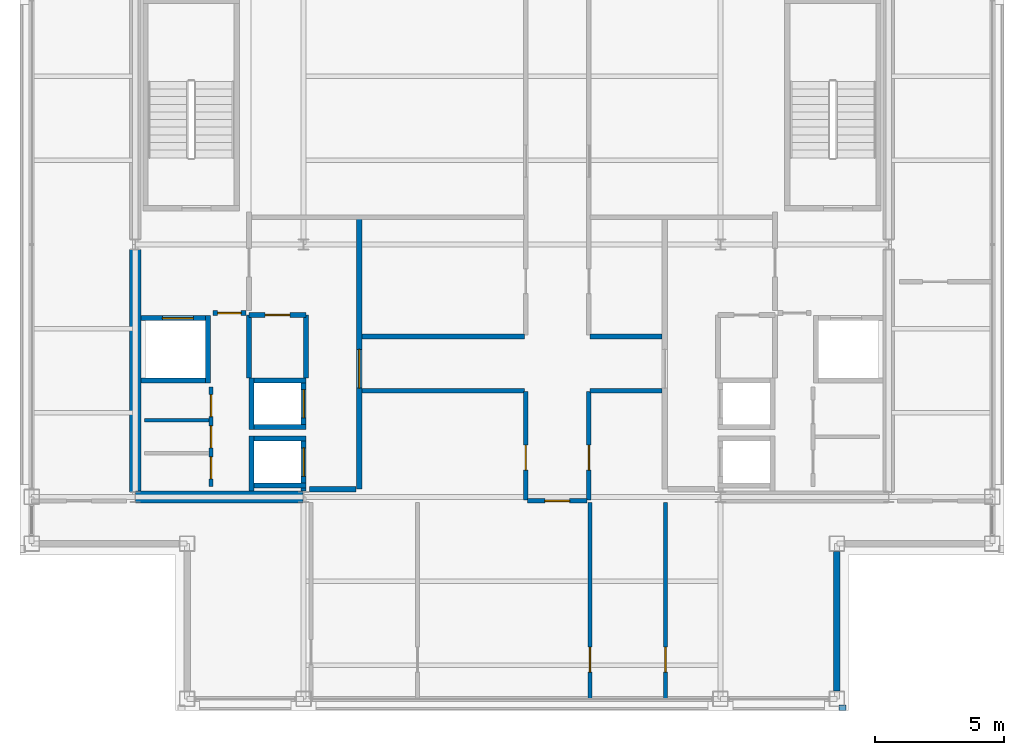
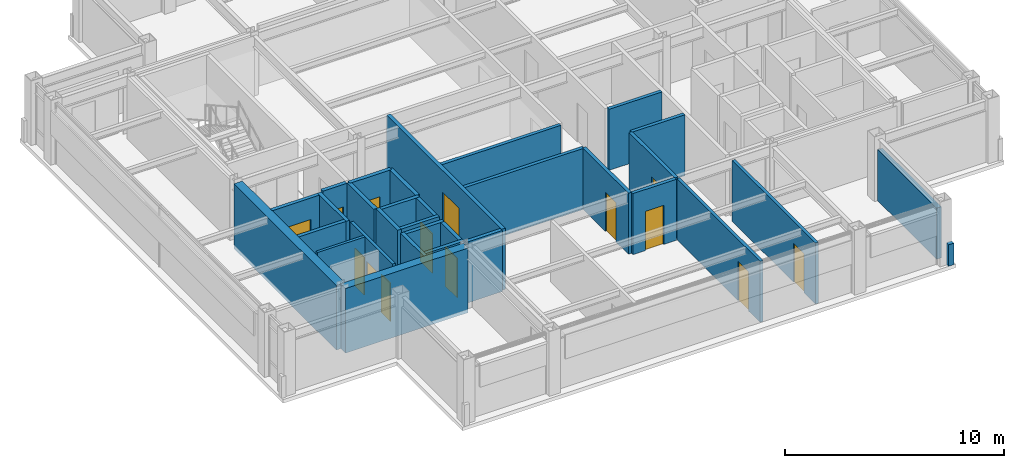
# One storey, part 17 of 20: 32 walls, 14 doors, 14 openings.
"""IFC4 building model written with IfcOpenShell, lengths in metres."""

from ifc_helpers import new_model, si_unit, direction, frame, frame_2d, origin, place, context, subcontext, project, spatial, rectangle, extrude, material, layer, layer_set, type_object, element, fill, save


model = new_model("IFC4")

# Units and contexts
model_context = context("Model", 3, precision=1e-05, world=origin(), true_north=direction((0.0, 1.0)))
body_context = subcontext(model_context, "Body", "Model", "MODEL_VIEW")
ifc_project = project(units=[si_unit("LENGTHUNIT", "METRE"), si_unit("AREAUNIT", "SQUARE_METRE"), si_unit("VOLUMEUNIT", "CUBIC_METRE"), si_unit("PLANEANGLEUNIT", "RADIAN"), si_unit("MASSUNIT", "GRAM", prefix="KILO")], contexts=[model_context])

# Site, building, storey
site_placement = place(None, origin())
site = spatial("IfcSite", under=ifc_project, at=site_placement, CompositionType="ELEMENT")
building_placement = place(site_placement, origin())
building = spatial("IfcBuilding", under=site, at=building_placement, Name="Brelmoor Portico Tower", CompositionType="ELEMENT")
storey_placement = place(building_placement, frame((0.0, 0.0, 272.39990234375)))
storey = spatial("IfcBuildingStorey", under=building, at=storey_placement, Name="L72", CompositionType="ELEMENT", Elevation=272.39990234375)

# Walls
ifc_material_1 = material(Name="Concrete C50", Category="concrete")
ifc_layer_1 = layer(ifc_material_1, 0.449951171875)
ifc_layer_set_1 = layer_set([ifc_layer_1], Name="Concrete C50")
wall_type_1 = type_object("IfcWallType", Name="WL-CORE-450", PredefinedType="SHEAR", material=ifc_layer_set_1)
wall_1_placement = place(storey_placement, frame((-14.530029296875, -9.75, -0.199951171875), z_axis=(0.0, 0.0, 1.0), x_axis=(1.0, 0.0, 0.0)))
element("IfcWall", 1, at=wall_1_placement, inside=storey, type_object=wall_type_1, Name="L72 WC South Shear Wall", PredefinedType="SHEAR", context=body_context, shape_type="SweptSolid", body=[
    extrude(rectangle(XDim=6.4599609375, YDim=0.449951171875, at=frame_2d((3.22998046875, 0.0))), origin(), (0.0, 0.0, 1.0), 3.60009765625),
])
wall_2_placement = place(storey_placement, frame((-14.550048828125, -9.550048828125, -0.199951171875), z_axis=(0.0, 0.0, 1.0), x_axis=(0.0, 1.0, 0.0)))
element("IfcWall", 2, at=wall_2_placement, inside=storey, type_object=wall_type_1, Name="L72 WC Outer South Shear Wall", PredefinedType="SHEAR", context=body_context, shape_type="SweptSolid", body=[
    extrude(rectangle(XDim=9.35009765625, YDim=0.449951171875, at=frame_2d((4.675048828125, 0.0))), origin(), (0.0, 0.0, 1.0), 3.60009765625),
])
ifc_material_2 = material(Name="Precast Concrete C40 Insulated Facade Wall", Category="concrete")
ifc_layer_2 = layer(ifc_material_2, 0.25)
ifc_layer_set_2 = layer_set([ifc_layer_2], Name="Precast Concrete C40 Insulated Facade Wall")
wall_type_2 = type_object("IfcWallType", Name="WL-EXT-250", PredefinedType="STANDARD", material=ifc_layer_set_2)
wall_3_placement = place(storey_placement, frame((12.550048828125, -17.239990234375, 0.0), z_axis=(0.0, 0.0, 1.0), x_axis=(0.0, 1.0, 0.0)))
element("IfcWall", 3, at=wall_3_placement, inside=storey, type_object=wall_type_2, Name="L72 Corner Notch Facade Wall NSEV1", PredefinedType="STANDARD", context=body_context, shape_type="SweptSolid", body=[
    extrude(rectangle(XDim=5.3798828125, YDim=0.25, at=frame_2d((2.68994140625, 0.0))), origin(), (0.0, 0.0, 1.0), 2.85009765625),
])
ifc_material_3 = material(Name="Concrete C40 Parapet Upstand", Category="concrete")
ifc_layer_3 = layer(ifc_material_3, 0.219970703125)
ifc_layer_set_3 = layer_set([ifc_layer_3], Name="Concrete C40 Parapet Upstand")
wall_type_3 = type_object("IfcWallType", Name="WL-PARAPET-220", PredefinedType="PARAPET", material=ifc_layer_set_3)
wall_4_placement = place(storey_placement, frame((12.6201171875, -17.889892578125, 0.0), z_axis=(0.0, 0.0, 1.0), x_axis=(1.0, 0.0, 0.0)))
element("IfcWall", 4, at=wall_4_placement, inside=storey, type_object=wall_type_3, Name="L72 Chamfer Vertex Parapet Pier SE1", PredefinedType="PARAPET", context=body_context, shape_type="SweptSolid", body=[
    extrude(rectangle(XDim=0.269775390625, YDim=0.219970703125, at=frame_2d((0.134765625, 0.0))), origin(), (0.0, 0.0, 1.0), 1.2001953125),
])
ifc_material_4 = material(Name="Insulated Stud Suite Partition", Category="gypsum")
ifc_layer_4 = layer(ifc_material_4, 0.139892578125)
ifc_layer_set_4 = layer_set([ifc_layer_4], Name="Insulated Stud Suite Partition")
wall_type_4 = type_object("IfcWallType", Name="WL-PART-140", PredefinedType="PARTITIONING", material=ifc_layer_set_4)
wall_5_placement = place(storey_placement, frame((-11.699951171875, -6.783203125, 0.0), z_axis=(0.0, 0.0, 1.0), x_axis=(-1.0, 0.0, 0.0)))
element("IfcWall", 5, at=wall_5_placement, inside=storey, type_object=wall_type_4, Name="L72 W Core WC Divider 2", PredefinedType="PARTITIONING", context=body_context, shape_type="SweptSolid", body=[
    extrude(rectangle(XDim=2.5, YDim=0.139892578125, at=frame_2d((1.25, 0.0))), origin(), (0.0, 0.0, 1.0), 3.400146484375),
])

# Wall, openings, doors
ifc_material_5 = material(Name="Twin-Frame Acoustic Partition", Category="gypsum")
ifc_layer_5 = layer(ifc_material_5, 0.159912109375)
ifc_layer_set_5 = layer_set([ifc_layer_5], Name="Twin-Frame Acoustic Partition")
wall_type_5 = type_object("IfcWallType", Name="WL-PART-160", PredefinedType="PARTITIONING", material=ifc_layer_set_5)
wall_6_placement = place(storey_placement, frame((-11.6201171875, -9.35009765625, 0.0), z_axis=(0.0, 0.0, 1.0), x_axis=(0.0, 1.0, 0.0)))
wall_6 = element("IfcWall", 6, at=wall_6_placement, inside=storey, type_object=wall_type_5, Name="L72 W Core Service Front Wall", PredefinedType="PARTITIONING", context=body_context, shape_type="SweptSolid", body=[
    extrude(rectangle(XDim=3.85009765625, YDim=0.159912109375, at=frame_2d((1.925048828125, 0.0))), origin(), (0.0, 0.0, 1.0), 3.400146484375),
])
opening_1_placement = place(wall_6_placement, frame((0.300048828125, 0.0, 0.0)))
opening_1 = element("IfcOpeningElement", 7, at=opening_1_placement, cuts=wall_6, Name="Opening D-WC1", PredefinedType="OPENING", context=body_context, shape_type="SweptSolid", body=[
    extrude(rectangle(XDim=0.85009765625, YDim=2.1201171875, at=frame_2d((0.425048828125, 1.06005859375))), frame((0.0, 0.08984375, 0.0), z_axis=(0.0, -1.0, 0.0), x_axis=(1.0, 0.0, 0.0)), (0.0, 0.0, 1.0), 0.179931640625),
])
opening_2_placement = place(wall_6_placement, frame((1.5, 0.0, 0.0)))
opening_2 = element("IfcOpeningElement", 8, at=opening_2_placement, cuts=wall_6, Name="Opening D-WC1", PredefinedType="OPENING", context=body_context, shape_type="SweptSolid", body=[
    extrude(rectangle(XDim=0.85009765625, YDim=2.1201171875, at=frame_2d((0.425048828125, 1.06005859375))), frame((0.0, 0.08984375, 0.0), z_axis=(0.0, -1.0, 0.0), x_axis=(1.0, 0.0, 0.0)), (0.0, 0.0, 1.0), 0.179931640625),
])
opening_3_placement = place(wall_6_placement, frame((2.699951171875, 0.0, 0.0)))
opening_3 = element("IfcOpeningElement", 9, at=opening_3_placement, cuts=wall_6, Name="Opening D-WC1", PredefinedType="OPENING", context=body_context, shape_type="SweptSolid", body=[
    extrude(rectangle(XDim=0.85009765625, YDim=2.1201171875, at=frame_2d((0.425048828125, 1.06005859375))), frame((0.0, 0.08984375, 0.0), z_axis=(0.0, -1.0, 0.0), x_axis=(1.0, 0.0, 0.0)), (0.0, 0.0, 1.0), 0.179931640625),
])
ifc_material_6 = material(Name="Moisture-Resistant Laminate WC Door", Category="timber")
door_type_1 = type_object("IfcDoorType", Name="DR-WC-850", OperationType="NOTDEFINED", PredefinedType="DOOR", material=ifc_material_6)
door_1_placement = place(opening_1_placement, origin())
door_1 = element("IfcDoor", 10, at=door_1_placement, inside=storey, type_object=door_type_1, Name="D-2948 L72 W Accessible WC Door", OperationType="SINGLE_SWING_RIGHT", OverallHeight=2.1201171875, OverallWidth=0.85009765625, PredefinedType="DOOR", context=body_context, shape_type="SweptSolid", body=[
    extrude(rectangle(XDim=0.85009765625, YDim=2.1201171875, at=frame_2d((0.425048828125, 1.06005859375))), frame((0.0, 0.02490234375, 0.0), z_axis=(0.0, -1.0, 0.0), x_axis=(1.0, 0.0, 0.0)), (0.0, 0.0, 1.0), 0.050048828125),
])
fill(opening_1, door_1)
door_2_placement = place(opening_2_placement, origin())
door_2 = element("IfcDoor", 11, at=door_2_placement, inside=storey, type_object=door_type_1, Name="D-2949 L72 W Staff WC Door", OperationType="SINGLE_SWING_LEFT", OverallHeight=2.1201171875, OverallWidth=0.85009765625, PredefinedType="DOOR", context=body_context, shape_type="SweptSolid", body=[
    extrude(rectangle(XDim=0.85009765625, YDim=2.1201171875, at=frame_2d((0.425048828125, 1.06005859375))), frame((0.0, 0.02490234375, 0.0), z_axis=(0.0, -1.0, 0.0), x_axis=(1.0, 0.0, 0.0)), (0.0, 0.0, 1.0), 0.050048828125),
])
fill(opening_2, door_2)
door_3_placement = place(opening_3_placement, origin())
door_3 = element("IfcDoor", 12, at=door_3_placement, inside=storey, type_object=door_type_1, Name="D-2950 L72 W Cleaner Store Door", OperationType="SINGLE_SWING_RIGHT", OverallHeight=2.1201171875, OverallWidth=0.85009765625, PredefinedType="DOOR", context=body_context, shape_type="SweptSolid", body=[
    extrude(rectangle(XDim=0.85009765625, YDim=2.1201171875, at=frame_2d((0.425048828125, 1.06005859375))), frame((0.0, 0.02490234375, 0.0), z_axis=(0.0, -1.0, 0.0), x_axis=(1.0, 0.0, 0.0)), (0.0, 0.0, 1.0), 0.050048828125),
])
fill(opening_3, door_3)

# Wall, opening, door
wall_7_placement = place(storey_placement, frame((3.0126953125, -17.56005859375, 0.0), z_axis=(0.0, 0.0, 1.0), x_axis=(0.0, 1.0, 0.0)))
wall_7 = element("IfcWall", 13, at=wall_7_placement, inside=storey, type_object=wall_type_5, Name="L72 South Suite Partition 3", PredefinedType="PARTITIONING", context=body_context, shape_type="SweptSolid", body=[
    extrude(rectangle(XDim=7.60009765625, YDim=0.159912109375, at=frame_2d((3.800048828125, 0.0))), origin(), (0.0, 0.0, 1.0), 3.400146484375),
])
opening_4_placement = place(wall_7_placement, frame((1.050048828125, 0.0, 0.0)))
opening_4 = element("IfcOpeningElement", 14, at=opening_4_placement, cuts=wall_7, Name="Opening D-IN2", PredefinedType="OPENING", context=body_context, shape_type="SweptSolid", body=[
    extrude(rectangle(XDim=0.9599609375, YDim=2.179931640625, at=frame_2d((0.47998046875, 1.08984375))), frame((0.0, 0.08984375, 0.0), z_axis=(0.0, -1.0, 0.0), x_axis=(1.0, 0.0, 0.0)), (0.0, 0.0, 1.0), 0.179931640625),
])
ifc_material_7 = material(Name="Lacquered Timber Suite Door", Category="wood")
door_type_2 = type_object("IfcDoorType", Name="DR-INT-950", OperationType="NOTDEFINED", PredefinedType="DOOR", material=ifc_material_7)
door_4_placement = place(opening_4_placement, origin())
door_4 = element("IfcDoor", 15, at=door_4_placement, inside=storey, type_object=door_type_2, Name="D-2964 L72 South Suite Connecting Door 3", OperationType="SINGLE_SWING_RIGHT", OverallHeight=2.179931640625, OverallWidth=0.9599609375, PredefinedType="DOOR", context=body_context, shape_type="SweptSolid", body=[
    extrude(rectangle(XDim=0.9599609375, YDim=2.179931640625, at=frame_2d((0.47998046875, 1.08984375))), frame((0.0, 0.02490234375, 0.0), z_axis=(0.0, -1.0, 0.0), x_axis=(1.0, 0.0, 0.0)), (0.0, 0.0, 1.0), 0.050048828125),
])
fill(opening_4, door_4)

wall_8_placement = place(storey_placement, frame((5.93310546875, -17.56005859375, 0.0), z_axis=(0.0, 0.0, 1.0), x_axis=(0.0, 1.0, 0.0)))
wall_8 = element("IfcWall", 16, at=wall_8_placement, inside=storey, type_object=wall_type_5, Name="L72 South Suite Partition 4", PredefinedType="PARTITIONING", context=body_context, shape_type="SweptSolid", body=[
    extrude(rectangle(XDim=7.60009765625, YDim=0.159912109375, at=frame_2d((3.800048828125, 0.0))), origin(), (0.0, 0.0, 1.0), 3.400146484375),
])
opening_5_placement = place(wall_8_placement, frame((1.050048828125, 0.0, 0.0)))
opening_5 = element("IfcOpeningElement", 17, at=opening_5_placement, cuts=wall_8, Name="Opening D-IN2", PredefinedType="OPENING", context=body_context, shape_type="SweptSolid", body=[
    extrude(rectangle(XDim=0.9599609375, YDim=2.179931640625, at=frame_2d((0.47998046875, 1.08984375))), frame((0.0, 0.08984375, 0.0), z_axis=(0.0, -1.0, 0.0), x_axis=(1.0, 0.0, 0.0)), (0.0, 0.0, 1.0), 0.179931640625),
])
door_5_placement = place(opening_5_placement, origin())
door_5 = element("IfcDoor", 18, at=door_5_placement, inside=storey, type_object=door_type_2, Name="D-2965 L72 South Suite Connecting Door 4", OperationType="SINGLE_SWING_LEFT", OverallHeight=2.179931640625, OverallWidth=0.9599609375, PredefinedType="DOOR", context=body_context, shape_type="SweptSolid", body=[
    extrude(rectangle(XDim=0.9599609375, YDim=2.179931640625, at=frame_2d((0.47998046875, 1.08984375))), frame((0.0, 0.02490234375, 0.0), z_axis=(0.0, -1.0, 0.0), x_axis=(1.0, 0.0, 0.0)), (0.0, 0.0, 1.0), 0.050048828125),
])
fill(opening_5, door_5)

# Walls
ifc_material_8 = material(Name="Acoustic Corridor Fire Partition", Category="gypsum")
ifc_layer_6 = layer(ifc_material_8, 0.179931640625)
ifc_layer_set_6 = layer_set([ifc_layer_6], Name="Acoustic Corridor Fire Partition")
wall_type_6 = type_object("IfcWallType", Name="WL-PART-180", PredefinedType="PARTITIONING", material=ifc_layer_set_6)
wall_9_placement = place(storey_placement, frame((-5.800048828125, -3.550048828125, 0.0), z_axis=(0.0, 0.0, 1.0), x_axis=(1.0, 0.0, 0.0)))
element("IfcWall", 19, at=wall_9_placement, inside=storey, type_object=wall_type_6, Name="L72 West Pantry South Wall", PredefinedType="PARTITIONING", context=body_context, shape_type="SweptSolid", body=[
    extrude(rectangle(XDim=6.2900390625, YDim=0.179931640625, at=frame_2d((3.14501953125, 0.0))), origin(), (0.0, 0.0, 1.0), 3.400146484375),
])
wall_10_placement = place(storey_placement, frame((3.010009765625, -3.550048828125, 0.0), z_axis=(0.0, 0.0, 1.0), x_axis=(1.0, 0.0, 0.0)))
element("IfcWall", 20, at=wall_10_placement, inside=storey, type_object=wall_type_6, Name="L72 East Office South Wall", PredefinedType="PARTITIONING", context=body_context, shape_type="SweptSolid", body=[
    extrude(rectangle(XDim=2.7900390625, YDim=0.179931640625, at=frame_2d((1.39501953125, 0.0))), origin(), (0.0, 0.0, 1.0), 3.400146484375),
])

# Wall, opening, door
wall_11_placement = place(storey_placement, frame((0.530029296875, -9.860107421875, 0.0), z_axis=(0.0, 0.0, 1.0), x_axis=(0.0, 1.0, 0.0)))
wall_11 = element("IfcWall", 21, at=wall_11_placement, inside=storey, type_object=wall_type_6, Name="L72 South Cross West Wall", PredefinedType="PARTITIONING", context=body_context, shape_type="SweptSolid", body=[
    extrude(rectangle(XDim=4.18017578125, YDim=0.179931640625, at=frame_2d((2.090087890625, 0.0))), origin(), (0.0, 0.0, 1.0), 3.400146484375),
])
opening_6_placement = place(wall_11_placement, frame((1.14990234375, 0.0, 0.0)))
opening_6 = element("IfcOpeningElement", 22, at=opening_6_placement, cuts=wall_11, Name="Opening D-IN2", PredefinedType="OPENING", context=body_context, shape_type="SweptSolid", body=[
    extrude(rectangle(XDim=0.9599609375, YDim=2.179931640625, at=frame_2d((0.47998046875, 1.08984375))), frame((0.0, 0.099853515625, 0.0), z_axis=(0.0, -1.0, 0.0), x_axis=(1.0, 0.0, 0.0)), (0.0, 0.0, 1.0), 0.199951171875),
])
door_6_placement = place(opening_6_placement, origin())
door_6 = element("IfcDoor", 23, at=door_6_placement, inside=storey, type_object=door_type_2, Name="D-2941 L72 South-West Archive Room Door", OperationType="SINGLE_SWING_RIGHT", OverallHeight=2.179931640625, OverallWidth=0.9599609375, PredefinedType="DOOR", context=body_context, shape_type="SweptSolid", body=[
    extrude(rectangle(XDim=0.9599609375, YDim=2.179931640625, at=frame_2d((0.47998046875, 1.08984375))), frame((0.0, 0.02490234375, 0.0), z_axis=(0.0, -1.0, 0.0), x_axis=(1.0, 0.0, 0.0)), (0.0, 0.0, 1.0), 0.050048828125),
])
fill(opening_6, door_6)

wall_12_placement = place(storey_placement, frame((2.969970703125, -9.860107421875, 0.0), z_axis=(0.0, 0.0, 1.0), x_axis=(0.0, 1.0, 0.0)))
wall_12 = element("IfcWall", 24, at=wall_12_placement, inside=storey, type_object=wall_type_6, Name="L72 South Cross East Wall", PredefinedType="PARTITIONING", context=body_context, shape_type="SweptSolid", body=[
    extrude(rectangle(XDim=4.18017578125, YDim=0.179931640625, at=frame_2d((2.090087890625, 0.0))), origin(), (0.0, 0.0, 1.0), 3.400146484375),
])
opening_7_placement = place(wall_12_placement, frame((1.14990234375, 0.0, 0.0)))
opening_7 = element("IfcOpeningElement", 25, at=opening_7_placement, cuts=wall_12, Name="Opening D-IN2", PredefinedType="OPENING", context=body_context, shape_type="SweptSolid", body=[
    extrude(rectangle(XDim=0.9599609375, YDim=2.179931640625, at=frame_2d((0.47998046875, 1.08984375))), frame((0.0, 0.099853515625, 0.0), z_axis=(0.0, -1.0, 0.0), x_axis=(1.0, 0.0, 0.0)), (0.0, 0.0, 1.0), 0.199951171875),
])
door_7_placement = place(opening_7_placement, origin())
door_7 = element("IfcDoor", 26, at=door_7_placement, inside=storey, type_object=door_type_2, Name="D-2940 L72 South-East Partner Office Door", OperationType="SINGLE_SWING_LEFT", OverallHeight=2.179931640625, OverallWidth=0.9599609375, PredefinedType="DOOR", context=body_context, shape_type="SweptSolid", body=[
    extrude(rectangle(XDim=0.9599609375, YDim=2.179931640625, at=frame_2d((0.47998046875, 1.08984375))), frame((0.0, 0.02490234375, 0.0), z_axis=(0.0, -1.0, 0.0), x_axis=(1.0, 0.0, 0.0)), (0.0, 0.0, 1.0), 0.050048828125),
])
fill(opening_7, door_7)

# Walls
wall_13_placement = place(storey_placement, frame((-5.800048828125, -5.64990234375, 0.0), z_axis=(0.0, 0.0, 1.0), x_axis=(1.0, 0.0, 0.0)))
element("IfcWall", 27, at=wall_13_placement, inside=storey, type_object=wall_type_6, Name="L72 South-West Chamber Top Wall", PredefinedType="PARTITIONING", context=body_context, shape_type="SweptSolid", body=[
    extrude(rectangle(XDim=6.2900390625, YDim=0.179931640625, at=frame_2d((3.14501953125, 0.0))), origin(), (0.0, 0.0, 1.0), 3.400146484375),
])
wall_14_placement = place(storey_placement, frame((3.010009765625, -5.64990234375, 0.0), z_axis=(0.0, 0.0, 1.0), x_axis=(1.0, 0.0, 0.0)))
element("IfcWall", 28, at=wall_14_placement, inside=storey, type_object=wall_type_6, Name="L72 South-East Chamber Top Wall", PredefinedType="PARTITIONING", context=body_context, shape_type="SweptSolid", body=[
    extrude(rectangle(XDim=2.7900390625, YDim=0.179931640625, at=frame_2d((1.39501953125, 0.0))), origin(), (0.0, 0.0, 1.0), 3.400146484375),
])

# Wall, opening, door
wall_15_placement = place(storey_placement, frame((0.60009765625, -9.89990234375, 0.0), z_axis=(0.0, 0.0, 1.0), x_axis=(1.0, 0.0, 0.0)))
wall_15 = element("IfcWall", 29, at=wall_15_placement, inside=storey, type_object=wall_type_6, Name="L72 South Corridor Partition", PredefinedType="PARTITIONING", context=body_context, shape_type="SweptSolid", body=[
    extrude(rectangle(XDim=2.2998046875, YDim=0.179931640625, at=frame_2d((1.14990234375, 0.0))), origin(), (0.0, 0.0, 1.0), 3.400146484375),
])
opening_8_placement = place(wall_15_placement, frame((0.669921875, 0.0, 0.0)))
opening_8 = element("IfcOpeningElement", 30, at=opening_8_placement, cuts=wall_15, Name="Opening D-IN2", PredefinedType="OPENING", context=body_context, shape_type="SweptSolid", body=[
    extrude(rectangle(XDim=0.9599609375, YDim=2.179931640625, at=frame_2d((0.47998046875, 1.08984375))), frame((0.0, 0.099853515625, 0.0), z_axis=(0.0, -1.0, 0.0), x_axis=(1.0, 0.0, 0.0)), (0.0, 0.0, 1.0), 0.199951171875),
])
door_8_placement = place(opening_8_placement, origin())
door_8 = element("IfcDoor", 31, at=door_8_placement, inside=storey, type_object=door_type_2, Name="D-2961 L72 South First-Aid Consultation 3 Door", OperationType="SINGLE_SWING_RIGHT", OverallHeight=2.179931640625, OverallWidth=0.9599609375, PredefinedType="DOOR", context=body_context, shape_type="SweptSolid", body=[
    extrude(rectangle(XDim=0.9599609375, YDim=2.179931640625, at=frame_2d((0.47998046875, 1.08984375))), frame((0.0, 0.02490234375, 0.0), z_axis=(0.0, -1.0, 0.0), x_axis=(1.0, 0.0, 0.0)), (0.0, 0.0, 1.0), 0.050048828125),
])
fill(opening_8, door_8)

ifc_material_9 = material(Name="Double-Stud Gypsum Fire Partition", Category="gypsum")
ifc_layer_7 = layer(ifc_material_9, 0.199951171875)
ifc_layer_set_7 = layer_set([ifc_layer_7], Name="Double-Stud Gypsum Fire Partition")
wall_type_7 = type_object("IfcWallType", Name="WL-PART-200", PredefinedType="PARTITIONING", material=ifc_layer_set_7)
wall_16_placement = place(storey_placement, frame((-5.89990234375, -9.449951171875, 0.0), z_axis=(0.0, 0.0, 1.0), x_axis=(0.0, 1.0, 0.0)))
wall_16 = element("IfcWall", 32, at=wall_16_placement, inside=storey, type_object=wall_type_7, Name="L72 W Core Lobby Compartment Wall", PredefinedType="PARTITIONING", context=body_context, shape_type="SweptSolid", body=[
    extrude(rectangle(XDim=10.5, YDim=0.199951171875, at=frame_2d((5.25, 0.0))), origin(), (0.0, 0.0, 1.0), 3.400146484375),
])
opening_9_placement = place(wall_16_placement, frame((3.89990234375, 0.0, 0.0)))
opening_9 = element("IfcOpeningElement", 33, at=opening_9_placement, cuts=wall_16, Name="Opening D-LB1", PredefinedType="OPENING", context=body_context, shape_type="SweptSolid", body=[
    extrude(rectangle(XDim=1.5, YDim=2.199951171875, at=frame_2d((0.75, 1.10009765625))), frame((0.0, 0.10986328125, 0.0), z_axis=(0.0, -1.0, 0.0), x_axis=(1.0, 0.0, 0.0)), (0.0, 0.0, 1.0), 0.219970703125),
])
ifc_material_10 = material(Name="Double-Leaf Glazed Steel Fire Door", Category="steel")
door_type_3 = type_object("IfcDoorType", Name="DR-LOBBY-1500", OperationType="NOTDEFINED", PredefinedType="DOOR", material=ifc_material_10)
door_9_placement = place(opening_9_placement, origin())
door_9 = element("IfcDoor", 34, at=door_9_placement, inside=storey, type_object=door_type_3, Name="D-2956 L72 W Lift Lobby Main Door", OperationType="DOUBLE_DOOR_SINGLE_SWING", OverallHeight=2.199951171875, OverallWidth=1.5, PredefinedType="DOOR", context=body_context, shape_type="SweptSolid", body=[
    extrude(rectangle(XDim=1.5, YDim=2.199951171875, at=frame_2d((0.75, 1.10009765625))), frame((0.0, 0.02490234375, 0.0), z_axis=(0.0, -1.0, 0.0), x_axis=(1.0, 0.0, 0.0)), (0.0, 0.0, 1.0), 0.050048828125),
])
fill(opening_9, door_9)

# Wall
wall_17_placement = place(storey_placement, frame((-6.02001953125, -9.449951171875, 0.0), z_axis=(0.0, 0.0, 1.0), x_axis=(-1.0, 0.0, 0.0)))
element("IfcWall", 35, at=wall_17_placement, inside=storey, type_object=wall_type_7, Name="L72 W Lift Lobby South End Wall", PredefinedType="PARTITIONING", context=body_context, shape_type="SweptSolid", body=[
    extrude(rectangle(XDim=1.800048828125, YDim=0.199951171875, at=frame_2d((0.89990234375, 0.0))), origin(), (0.0, 0.0, 1.0), 3.400146484375),
])

# Wall, opening, door
wall_18_placement = place(storey_placement, frame((-10.280029296875, -2.64990234375, 0.0), z_axis=(0.0, 0.0, 1.0), x_axis=(-1.0, 0.0, 0.0)))
wall_18 = element("IfcWall", 36, at=wall_18_placement, inside=storey, type_object=wall_type_7, Name="L72 W Firefighting Lobby South Wall", PredefinedType="PARTITIONING", context=body_context, shape_type="SweptSolid", body=[
    extrude(rectangle(XDim=1.27001953125, YDim=0.199951171875, at=frame_2d((0.635009765625, 0.0))), origin(), (0.0, 0.0, 1.0), 3.400146484375),
])
opening_10_placement = place(wall_18_placement, frame((0.18505859375, 0.0, 0.0)))
opening_10 = element("IfcOpeningElement", 37, at=opening_10_placement, cuts=wall_18, Name="Opening D-IN1", PredefinedType="OPENING", context=body_context, shape_type="SweptSolid", body=[
    extrude(rectangle(XDim=0.89990234375, YDim=2.14990234375, at=frame_2d((0.449951171875, 1.074951171875))), frame((0.0, 0.10986328125, 0.0), z_axis=(0.0, -1.0, 0.0), x_axis=(1.0, 0.0, 0.0)), (0.0, 0.0, 1.0), 0.219970703125),
])
door_type_4 = type_object("IfcDoorType", Name="DR-INT-900", OperationType="NOTDEFINED", PredefinedType="DOOR", material=ifc_material_7)
door_10_placement = place(opening_10_placement, origin())
door_10 = element("IfcDoor", 38, at=door_10_placement, inside=storey, type_object=door_type_4, Name="D-2947 L72 W Core Service Vestibule Door", OperationType="SINGLE_SWING_RIGHT", OverallHeight=2.14990234375, OverallWidth=0.89990234375, PredefinedType="DOOR", context=body_context, shape_type="SweptSolid", body=[
    extrude(rectangle(XDim=0.89990234375, YDim=2.14990234375, at=frame_2d((0.449951171875, 1.074951171875))), frame((0.0, 0.02490234375, 0.0), z_axis=(0.0, -1.0, 0.0), x_axis=(1.0, 0.0, 0.0)), (0.0, 0.0, 1.0), 0.050048828125),
])
fill(opening_10, door_10)

wall_19_placement = place(storey_placement, frame((-7.9599609375, -2.719970703125, 0.0), z_axis=(0.0, 0.0, 1.0), x_axis=(-1.0, 0.0, 0.0)))
wall_19 = element("IfcWall", 39, at=wall_19_placement, inside=storey, type_object=wall_type_7, Name="L72 W Electrical Switchgear Closet Wall", PredefinedType="PARTITIONING", context=body_context, shape_type="SweptSolid", body=[
    extrude(rectangle(XDim=2.199951171875, YDim=0.199951171875, at=frame_2d((1.10009765625, 0.0))), origin(), (0.0, 0.0, 1.0), 3.400146484375),
])
opening_11_placement = place(wall_19_placement, frame((0.6201171875, 0.0, 0.0)))
opening_11 = element("IfcOpeningElement", 40, at=opening_11_placement, cuts=wall_19, Name="Opening D-FR4", PredefinedType="OPENING", context=body_context, shape_type="SweptSolid", body=[
    extrude(rectangle(XDim=0.949951171875, YDim=2.10009765625, at=frame_2d((0.47509765625, 1.050048828125))), frame((0.0, 0.10986328125, 0.0), z_axis=(0.0, -1.0, 0.0), x_axis=(1.0, 0.0, 0.0)), (0.0, 0.0, 1.0), 0.219970703125),
])
ifc_material_11 = material(Name="Painted Galvanised Steel Riser Door", Category="steel")
door_type_5 = type_object("IfcDoorType", Name="DR-FIRE-950", OperationType="NOTDEFINED", PredefinedType="DOOR", material=ifc_material_11)
door_11_placement = place(opening_11_placement, origin())
door_11 = element("IfcDoor", 41, at=door_11_placement, inside=storey, type_object=door_type_5, Name="D-2952 L72 W Electrical Switchgear Closet Door", OperationType="SINGLE_SWING_LEFT", OverallHeight=2.10009765625, OverallWidth=0.949951171875, PredefinedType="DOOR", context=body_context, shape_type="SweptSolid", body=[
    extrude(rectangle(XDim=0.949951171875, YDim=2.10009765625, at=frame_2d((0.47509765625, 1.050048828125))), frame((0.0, 0.02490234375, 0.0), z_axis=(0.0, -1.0, 0.0), x_axis=(1.0, 0.0, 0.0)), (0.0, 0.0, 1.0), 0.050048828125),
])
fill(opening_11, door_11)

# Walls
for number, where, z_axis, x_axis, name in (
    (42, (-7.9599609375, -5.159912109375, 0.0), (0.0, 0.0, 1.0), (0.0, 1.0, 0.0), "L72 W Electrical Switchgear Closet Inner Wall"),
    (43, (-10.159912109375, -5.159912109375, 0.0), (0.0, 0.0, 1.0), (0.0, 1.0, 0.0), "L72 W Electrical Switchgear Closet Outer Wall"),
):
    element("IfcWall", number, at=place(storey_placement, frame(where, z_axis=z_axis, x_axis=x_axis)), inside=storey, type_object=wall_type_7, Name=name, PredefinedType="PARTITIONING", context=body_context, shape_type="SweptSolid", body=[
        extrude(rectangle(XDim=2.43994140625, YDim=0.199951171875, at=frame_2d((1.219970703125, 0.0))), origin(), (0.0, 0.0, 1.0), 3.400146484375),
    ])

# Wall, opening, door
ifc_material_12 = material(Name="Precast Concrete C40", Category="concrete")
ifc_layer_8 = layer(ifc_material_12, 0.18994140625)
ifc_layer_set_8 = layer_set([ifc_layer_8], Name="Precast Concrete C40")
wall_type_8 = type_object("IfcWallType", Name="WL-SHAFT-180", PredefinedType="SOLIDWALL", material=ifc_layer_set_8)
wall_20_placement = place(storey_placement, frame((-8.044921875, -9.52001953125, -0.199951171875), z_axis=(0.0, 0.0, 1.0), x_axis=(0.0, 1.0, 0.0)))
wall_20 = element("IfcWall", 44, at=wall_20_placement, inside=storey, type_object=wall_type_8, Name="L72 Lift PH1 Hoistway Front Wall", PredefinedType="SOLIDWALL", context=body_context, shape_type="SweptSolid", body=[
    extrude(rectangle(XDim=2.1201171875, YDim=0.18994140625, at=frame_2d((1.06005859375, 0.0))), origin(), (0.0, 0.0, 1.0), 3.60009765625),
])
opening_12_placement = place(wall_20_placement, frame((0.570068359375, 0.0, 0.199951171875)))
opening_12 = element("IfcOpeningElement", 45, at=opening_12_placement, cuts=wall_20, Name="Opening LD-01", PredefinedType="OPENING", context=body_context, shape_type="SweptSolid", body=[
    extrude(rectangle(XDim=1.10009765625, YDim=2.199951171875, at=frame_2d((0.550048828125, 1.10009765625))), frame((0.0, 0.10498046875, 0.0), z_axis=(0.0, -1.0, 0.0), x_axis=(1.0, 0.0, 0.0)), (0.0, 0.0, 1.0), 0.2099609375),
])
ifc_material_13 = material(Name="Brushed Stainless Steel Sliding Lift Door", Category="steel")
door_type_6 = type_object("IfcDoorType", Name="DR-LIFT-1100", OperationType="NOTDEFINED", PredefinedType="DOOR", material=ifc_material_13)
door_12_placement = place(opening_12_placement, origin())
door_12 = element("IfcDoor", 46, at=door_12_placement, inside=storey, type_object=door_type_6, Name="D-2973 L72 Lift PH1 Sliding Landing Door", OperationType="SLIDING_TO_LEFT", OverallHeight=2.199951171875, OverallWidth=1.10009765625, PredefinedType="DOOR", context=body_context, shape_type="SweptSolid", body=[
    extrude(rectangle(XDim=1.10009765625, YDim=2.199951171875, at=frame_2d((0.550048828125, 1.10009765625))), frame((0.0, 0.02490234375, 0.0), z_axis=(0.0, -1.0, 0.0), x_axis=(1.0, 0.0, 0.0)), (0.0, 0.0, 1.0), 0.050048828125),
])
fill(opening_12, door_12)

# Walls
wall_21_placement = place(storey_placement, frame((-10.054931640625, -9.52001953125, -0.199951171875), z_axis=(0.0, 0.0, 1.0), x_axis=(0.0, 1.0, 0.0)))
element("IfcWall", 47, at=wall_21_placement, inside=storey, type_object=wall_type_8, Name="L72 Lift PH1 Hoistway Back Wall", PredefinedType="SOLIDWALL", context=body_context, shape_type="SweptSolid", body=[
    extrude(rectangle(XDim=2.1201171875, YDim=0.18994140625, at=frame_2d((1.06005859375, 0.0))), origin(), (0.0, 0.0, 1.0), 3.60009765625),
])
for number, where, z_axis, x_axis, name in (
    (48, (-10.14990234375, -7.4951171875, -0.199951171875), (0.0, 0.0, 1.0), (1.0, 0.0, 0.0), "L72 Lift PH1 Hoistway North Wall"),
    (49, (-10.14990234375, -9.304931640625, -0.199951171875), (0.0, 0.0, 1.0), (1.0, 0.0, 0.0), "L72 Lift PH1 Hoistway South Wall"),
):
    element("IfcWall", number, at=place(storey_placement, frame(where, z_axis=z_axis, x_axis=x_axis)), inside=storey, type_object=wall_type_8, Name=name, PredefinedType="SOLIDWALL", context=body_context, shape_type="SweptSolid", body=[
        extrude(rectangle(XDim=2.199951171875, YDim=0.18994140625, at=frame_2d((1.10009765625, 0.0))), origin(), (0.0, 0.0, 1.0), 3.60009765625),
    ])

# Wall, opening, door
wall_22_placement = place(storey_placement, frame((-8.044921875, -7.14990234375, -0.199951171875), z_axis=(0.0, 0.0, 1.0), x_axis=(0.0, 1.0, 0.0)))
wall_22 = element("IfcWall", 50, at=wall_22_placement, inside=storey, type_object=wall_type_8, Name="L72 Lift PH2 Hoistway Front Wall", PredefinedType="SOLIDWALL", context=body_context, shape_type="SweptSolid", body=[
    extrude(rectangle(XDim=2.0, YDim=0.18994140625, at=frame_2d((1.0, 0.0))), origin(), (0.0, 0.0, 1.0), 3.60009765625),
])
opening_13_placement = place(wall_22_placement, frame((0.449951171875, 0.0, 0.199951171875)))
opening_13 = element("IfcOpeningElement", 51, at=opening_13_placement, cuts=wall_22, Name="Opening LD-01", PredefinedType="OPENING", context=body_context, shape_type="SweptSolid", body=[
    extrude(rectangle(XDim=1.10009765625, YDim=2.199951171875, at=frame_2d((0.550048828125, 1.10009765625))), frame((0.0, 0.10498046875, 0.0), z_axis=(0.0, -1.0, 0.0), x_axis=(1.0, 0.0, 0.0)), (0.0, 0.0, 1.0), 0.2099609375),
])
door_13_placement = place(opening_13_placement, origin())
door_13 = element("IfcDoor", 52, at=door_13_placement, inside=storey, type_object=door_type_6, Name="D-2974 L72 Lift PH2 Sliding Landing Door", OperationType="SLIDING_TO_LEFT", OverallHeight=2.199951171875, OverallWidth=1.10009765625, PredefinedType="DOOR", context=body_context, shape_type="SweptSolid", body=[
    extrude(rectangle(XDim=1.10009765625, YDim=2.199951171875, at=frame_2d((0.550048828125, 1.10009765625))), frame((0.0, 0.02490234375, 0.0), z_axis=(0.0, -1.0, 0.0), x_axis=(1.0, 0.0, 0.0)), (0.0, 0.0, 1.0), 0.050048828125),
])
fill(opening_13, door_13)

# Walls
wall_23_placement = place(storey_placement, frame((-10.054931640625, -7.14990234375, -0.199951171875), z_axis=(0.0, 0.0, 1.0), x_axis=(0.0, 1.0, 0.0)))
element("IfcWall", 53, at=wall_23_placement, inside=storey, type_object=wall_type_8, Name="L72 Lift PH2 Hoistway Back Wall", PredefinedType="SOLIDWALL", context=body_context, shape_type="SweptSolid", body=[
    extrude(rectangle(XDim=2.0, YDim=0.18994140625, at=frame_2d((1.0, 0.0))), origin(), (0.0, 0.0, 1.0), 3.60009765625),
])
for number, where, z_axis, x_axis, name in (
    (54, (-10.14990234375, -5.2451171875, -0.199951171875), (0.0, 0.0, 1.0), (1.0, 0.0, 0.0), "L72 Lift PH2 Hoistway North Wall"),
    (55, (-10.14990234375, -7.054931640625, -0.199951171875), (0.0, 0.0, 1.0), (1.0, 0.0, 0.0), "L72 Lift PH2 Hoistway South Wall"),
):
    element("IfcWall", number, at=place(storey_placement, frame(where, z_axis=z_axis, x_axis=x_axis)), inside=storey, type_object=wall_type_8, Name=name, PredefinedType="SOLIDWALL", context=body_context, shape_type="SweptSolid", body=[
        extrude(rectangle(XDim=2.199951171875, YDim=0.18994140625, at=frame_2d((1.10009765625, 0.0))), origin(), (0.0, 0.0, 1.0), 3.60009765625),
    ])

# Wall, opening, door
wall_24_placement = place(storey_placement, frame((-14.330078125, -2.844970703125, -0.199951171875), z_axis=(0.0, 0.0, 1.0), x_axis=(1.0, 0.0, 0.0)))
wall_24 = element("IfcWall", 56, at=wall_24_placement, inside=storey, type_object=wall_type_8, Name="L72 Lift FF1 Hoistway Front Wall", PredefinedType="SOLIDWALL", context=body_context, shape_type="SweptSolid", body=[
    extrude(rectangle(XDim=2.68017578125, YDim=0.18994140625, at=frame_2d((1.340087890625, 0.0))), origin(), (0.0, 0.0, 1.0), 3.60009765625),
])
opening_14_placement = place(wall_24_placement, frame((0.830078125, 0.0, 0.199951171875)))
opening_14 = element("IfcOpeningElement", 57, at=opening_14_placement, cuts=wall_24, Name="Opening LD-02", PredefinedType="OPENING", context=body_context, shape_type="SweptSolid", body=[
    extrude(rectangle(XDim=1.199951171875, YDim=2.199951171875, at=frame_2d((0.60009765625, 1.10009765625))), frame((0.0, 0.10498046875, 0.0), z_axis=(0.0, -1.0, 0.0), x_axis=(1.0, 0.0, 0.0)), (0.0, 0.0, 1.0), 0.2099609375),
])
ifc_material_14 = material(Name="Brushed Stainless Steel Firefighting Lift Door", Category="steel")
door_type_7 = type_object("IfcDoorType", Name="DR-LIFT-1200", OperationType="NOTDEFINED", PredefinedType="DOOR", material=ifc_material_14)
door_14_placement = place(opening_14_placement, origin())
door_14 = element("IfcDoor", 58, at=door_14_placement, inside=storey, type_object=door_type_7, Name="D-2971 L72 Lift FF1 Sliding Landing Door", OperationType="SLIDING_TO_LEFT", OverallHeight=2.199951171875, OverallWidth=1.199951171875, PredefinedType="DOOR", context=body_context, shape_type="SweptSolid", body=[
    extrude(rectangle(XDim=1.199951171875, YDim=2.199951171875, at=frame_2d((0.60009765625, 1.10009765625))), frame((0.0, 0.02490234375, 0.0), z_axis=(0.0, -1.0, 0.0), x_axis=(1.0, 0.0, 0.0)), (0.0, 0.0, 1.0), 0.050048828125),
])
fill(opening_14, door_14)

# Walls
wall_25_placement = place(storey_placement, frame((-14.330078125, -5.2548828125, -0.199951171875), z_axis=(0.0, 0.0, 1.0), x_axis=(1.0, 0.0, 0.0)))
element("IfcWall", 59, at=wall_25_placement, inside=storey, type_object=wall_type_8, Name="L72 Firefighting Lift FF1 South Wall", PredefinedType="SOLIDWALL", context=body_context, shape_type="SweptSolid", body=[
    extrude(rectangle(XDim=2.68017578125, YDim=0.18994140625, at=frame_2d((1.340087890625, 0.0))), origin(), (0.0, 0.0, 1.0), 3.60009765625),
])
wall_26_placement = place(storey_placement, frame((-11.7451171875, -5.35009765625, -0.199951171875), z_axis=(0.0, 0.0, 1.0), x_axis=(0.0, 1.0, 0.0)))
element("IfcWall", 60, at=wall_26_placement, inside=storey, type_object=wall_type_8, Name="L72 Firefighting Lift FF1 Inner Wall", PredefinedType="SOLIDWALL", context=body_context, shape_type="SweptSolid", body=[
    extrude(rectangle(XDim=2.60009765625, YDim=0.18994140625, at=frame_2d((1.300048828125, 0.0))), origin(), (0.0, 0.0, 1.0), 3.60009765625),
])

save(model, "model.ifc")
